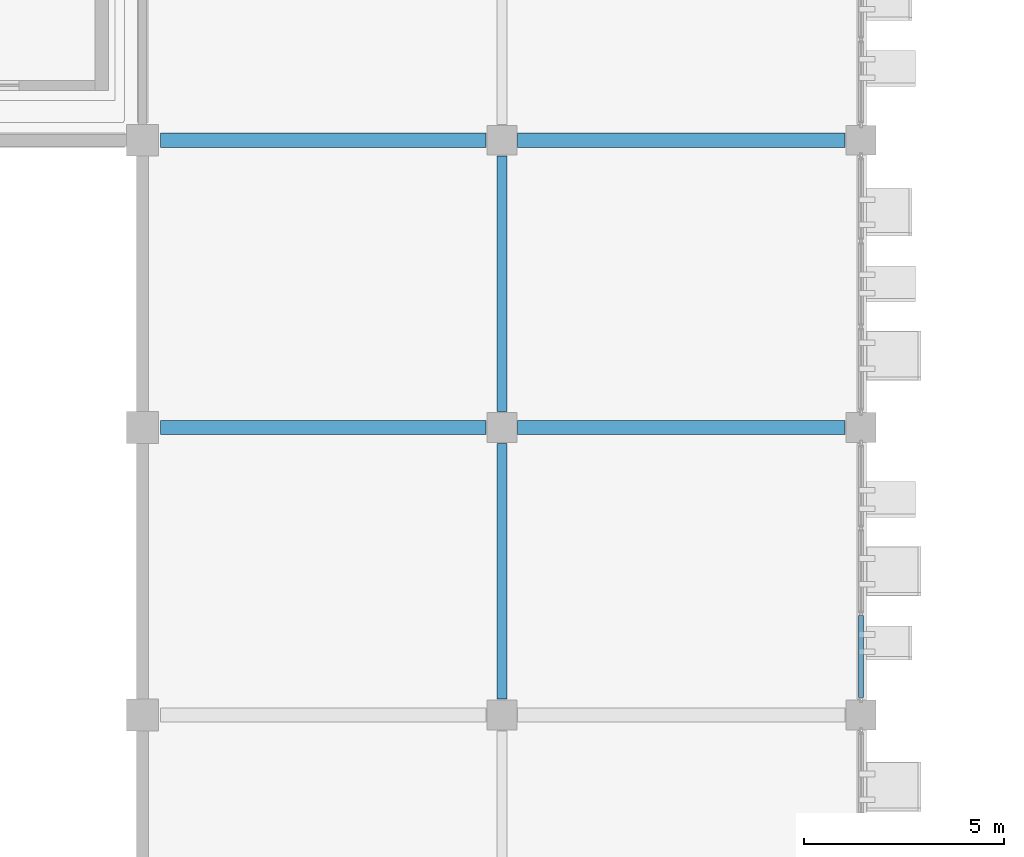
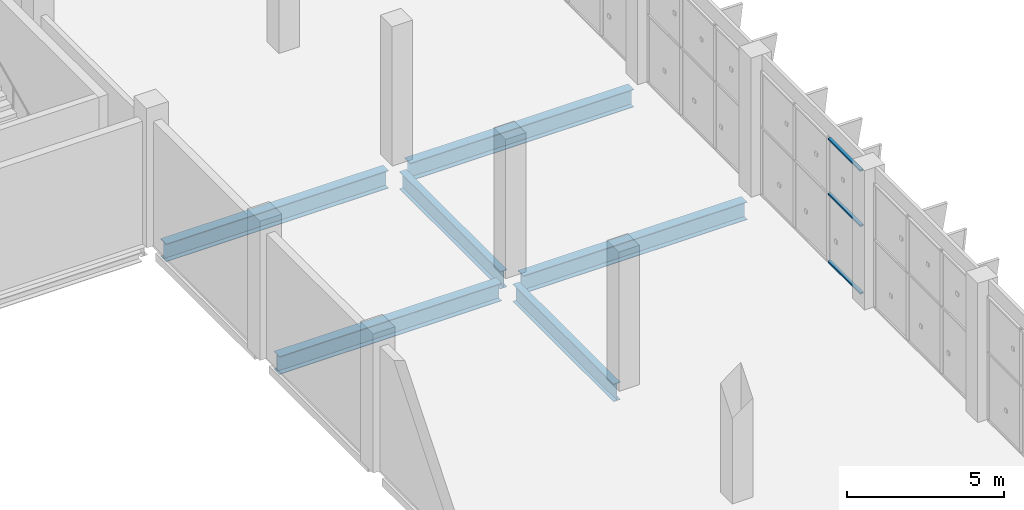
# One storey, part 72 of 189: 6 beams, 3 members, 1 element without a shape of its own.
"""IFC4 building model written with IfcOpenShell, lengths in metres."""

from ifc_helpers import new_model, si_unit, direction, frame, origin, origin_2d, place, context, subcontext, project, spatial, hollow_rectangle, i_section, extrude, material, layer, layer_set, material_profile, profile_set, type_object, element, aggregate, save


model = new_model("IFC4")

# Units and contexts
model_context = context("Model", 3, precision=1e-05, world=origin(), true_north=direction((0.0, 1.0)))
body_context = subcontext(model_context, "Body", "Model", "MODEL_VIEW")
ifc_project = project(units=[si_unit("LENGTHUNIT", "METRE"), si_unit("AREAUNIT", "SQUARE_METRE"), si_unit("VOLUMEUNIT", "CUBIC_METRE"), si_unit("PLANEANGLEUNIT", "RADIAN"), si_unit("MASSUNIT", "GRAM", prefix="KILO")], contexts=[model_context])

# Site, building, storey
site_placement = place(None, origin())
site = spatial("IfcSite", under=ifc_project, at=site_placement, CompositionType="ELEMENT")
building_placement = place(site_placement, origin())
building = spatial("IfcBuilding", under=site, at=building_placement, Name="Celestram Park Convention Centre", CompositionType="ELEMENT")
storey_placement = place(building_placement, frame((0.0, 0.0, 5.39990234375)))
storey = spatial("IfcBuildingStorey", under=building, at=storey_placement, Name="L01", CompositionType="ELEMENT", Elevation=5.39990234375)

# Curtain wall, members
ifc_material_1 = material(Name="Anodised Aluminium Alloy 6063-T6", Category="aluminium")
ifc_layer = layer(ifc_material_1, 0.179931640625)
ifc_layer_set = layer_set([ifc_layer], Name="Anodised Aluminium Alloy 6063-T6")
curtain_wall_type = type_object("IfcCurtainWallType", Name="ARC-CW-645X482", PredefinedType="NOTDEFINED", material=ifc_layer_set)
curtain_wall_placement = place(storey_placement, origin())
curtain_wall = element("IfcCurtainWall", 1, at=curtain_wall_placement, inside=storey, type_object=curtain_wall_type, Name="Unitised curtain wall CU-L01-089", PredefinedType="NOTDEFINED")
ifc_material_profile_1 = material_profile(ifc_material_1, hollow_rectangle(XDim=0.1201171875, YDim=0.06005859375, WallThickness=0.0029296875, at=origin_2d()), Name="ALU120X60X3")
ifc_profile_set_1 = profile_set([ifc_material_profile_1], Name="Anodised Aluminium Alloy 6063-T6")
member_type = type_object("IfcMemberType", Name="ARC-CWT-120", PredefinedType="USERDEFINED", material=ifc_profile_set_1)
member_1_placement = place(storey_placement, frame((144.0, 96.091796875, 0.030029296875), z_axis=(0.0, -1.0, 0.0), x_axis=(1.0, 0.0, 0.0)))
member_1 = element("IfcMember", 2, at=member_1_placement, type_object=member_type, Name="CW-64X48 transom 3.1", ObjectType="TRANSOM", PredefinedType="USERDEFINED", context=body_context, shape_type="SweptSolid", body=[
    extrude(hollow_rectangle(XDim=0.1201171875, YDim=0.06005859375, WallThickness=0.0029296875, at=origin_2d()), origin(), (0.0, 0.0, 1.0), 2.0537109375),
])
member_2_placement = place(storey_placement, frame((144.0, 96.091796875, 2.650146484375), z_axis=(0.0, -1.0, 0.0), x_axis=(1.0, 0.0, 0.0)))
member_2 = element("IfcMember", 3, at=member_2_placement, type_object=member_type, Name="CW-64X48 transom 3.2", ObjectType="TRANSOM", PredefinedType="USERDEFINED", context=body_context, shape_type="SweptSolid", body=[
    extrude(hollow_rectangle(XDim=0.1201171875, YDim=0.06005859375, WallThickness=0.0029296875, at=origin_2d()), origin(), (0.0, 0.0, 1.0), 2.0537109375),
])
member_3_placement = place(storey_placement, frame((144.0, 96.091796875, 4.7900390625), z_axis=(0.0, -1.0, 0.0), x_axis=(1.0, 0.0, 0.0)))
member_3 = element("IfcMember", 4, at=member_3_placement, type_object=member_type, Name="CW-64X48 transom 3.3", ObjectType="TRANSOM", PredefinedType="USERDEFINED", context=body_context, shape_type="SweptSolid", body=[
    extrude(hollow_rectangle(XDim=0.1201171875, YDim=0.06005859375, WallThickness=0.0029296875, at=origin_2d()), origin(), (0.0, 0.0, 1.0), 2.0537109375),
])
aggregate(curtain_wall, [member_1, member_2, member_3])

# Beams
ifc_material_2 = material(Name="Steel ASTM A992 Grade 50", Category="steel")
ifc_material_profile_2 = material_profile(ifc_material_2, i_section(OverallWidth=0.35595703125, OverallDepth=0.696044921875, WebThickness=0.015380859375, FlangeThickness=0.02490234375, at=origin_2d()), Name="W27X146")
ifc_profile_set_2 = profile_set([ifc_material_profile_2], Name="Steel ASTM A992 Grade 50")
beam_type_1 = type_object("IfcBeamType", Name="STR-BM-W27X146", PredefinedType="BEAM", material=ifc_profile_set_2)
for number, where, z_axis, x_axis, name in (
    (5, (126.447998046875, 100.800048828125, -0.6279296875), (1.0, 0.0, 0.0), (0.0, 1.0, 0.0), "Primary X-girder BG-L01-0269"),
    (6, (126.447998046875, 108.0, -0.6279296875), (1.0, 0.0, 0.0), (0.0, 1.0, 0.0), "Primary X-girder BG-L01-0271"),
):
    element("IfcBeam", number, at=place(storey_placement, frame(where, z_axis=z_axis, x_axis=x_axis)), inside=storey, type_object=beam_type_1, Name=name, PredefinedType="BEAM", context=body_context, shape_type="SweptSolid", body=[
        extrude(i_section(OverallWidth=0.35595703125, OverallDepth=0.696044921875, WebThickness=0.015380859375, FlangeThickness=0.02490234375, at=origin_2d()), origin(), (0.0, 0.0, 1.0), 8.154052734375),
    ])
for number, where, z_axis, x_axis, name in (
    (7, (135.39794921875, 100.800048828125, -0.6279296875), (1.0, 0.0, 0.0), (0.0, 1.0, 0.0), "Primary X-girder BG-L01-0308"),
    (8, (135.39794921875, 108.0, -0.6279296875), (1.0, 0.0, 0.0), (0.0, 1.0, 0.0), "Primary X-girder BG-L01-0310"),
):
    element("IfcBeam", number, at=place(storey_placement, frame(where, z_axis=z_axis, x_axis=x_axis)), inside=storey, type_object=beam_type_1, Name=name, PredefinedType="BEAM", context=body_context, shape_type="SweptSolid", body=[
        extrude(i_section(OverallWidth=0.35595703125, OverallDepth=0.696044921875, WebThickness=0.015380859375, FlangeThickness=0.02490234375, at=origin_2d()), origin(), (0.0, 0.0, 1.0), 8.2041015625),
    ])
ifc_material_profile_3 = material_profile(ifc_material_2, i_section(OverallWidth=0.25390625, OverallDepth=0.68310546875, WebThickness=0.012451171875, FlangeThickness=0.01904296875, at=origin_2d()), Name="W27X94")
ifc_profile_set_3 = profile_set([ifc_material_profile_3], Name="Steel ASTM A992 Grade 50")
beam_type_2 = type_object("IfcBeamType", Name="STR-BM-W27X94", PredefinedType="BEAM", material=ifc_profile_set_3)
for number, where, z_axis, x_axis, name in (
    (9, (135.0, 93.998046875, -0.621337890625), (0.0, 1.0, 0.0), (-1.0, 0.0, 0.0), "Primary Y-girder BG-L01-0307"),
    (10, (135.0, 101.197998046875, -0.621337890625), (0.0, 1.0, 0.0), (-1.0, 0.0, 0.0), "Primary Y-girder BG-L01-0309"),
):
    element("IfcBeam", number, at=place(storey_placement, frame(where, z_axis=z_axis, x_axis=x_axis)), inside=storey, type_object=beam_type_2, Name=name, PredefinedType="BEAM", context=body_context, shape_type="SweptSolid", body=[
        extrude(i_section(OverallWidth=0.25390625, OverallDepth=0.68310546875, WebThickness=0.012451171875, FlangeThickness=0.01904296875, at=origin_2d()), origin(), (0.0, 0.0, 1.0), 6.404052734375),
    ])

save(model, "model.ifc")
